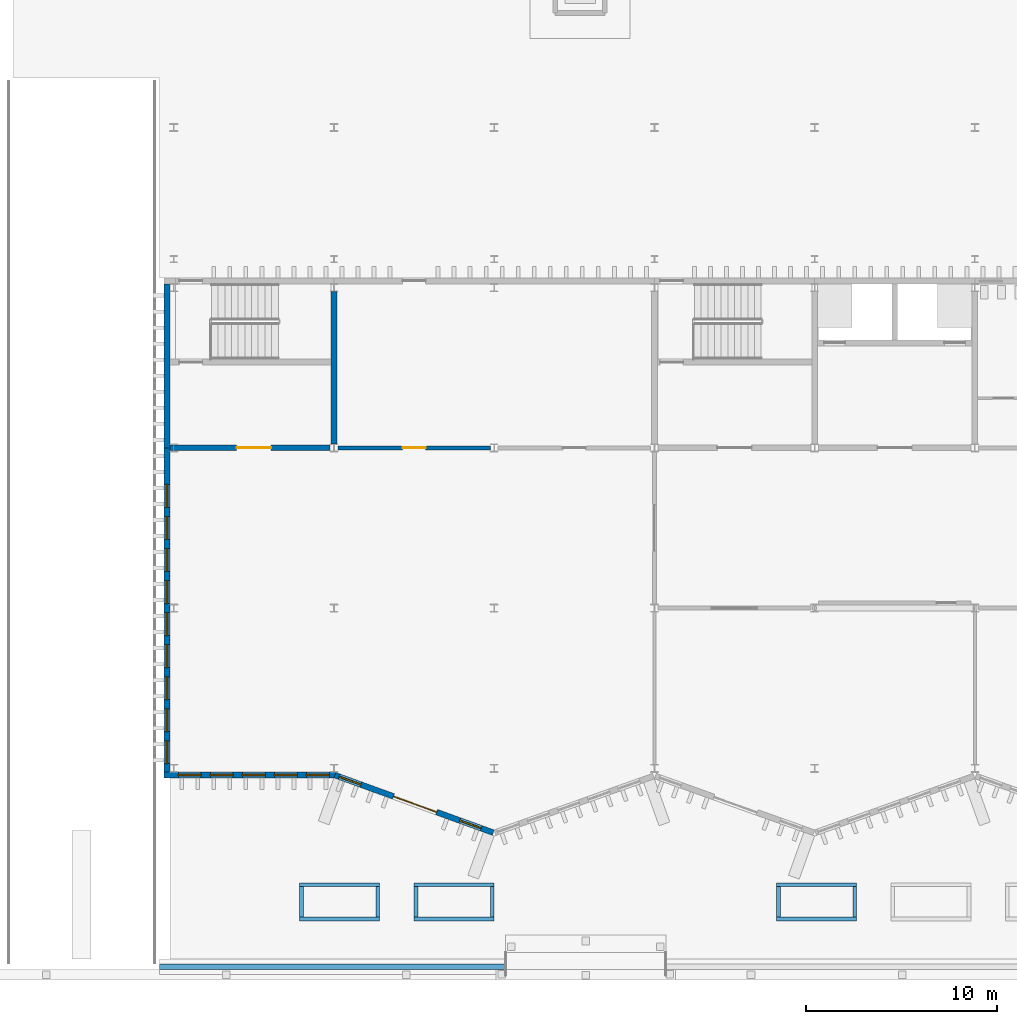
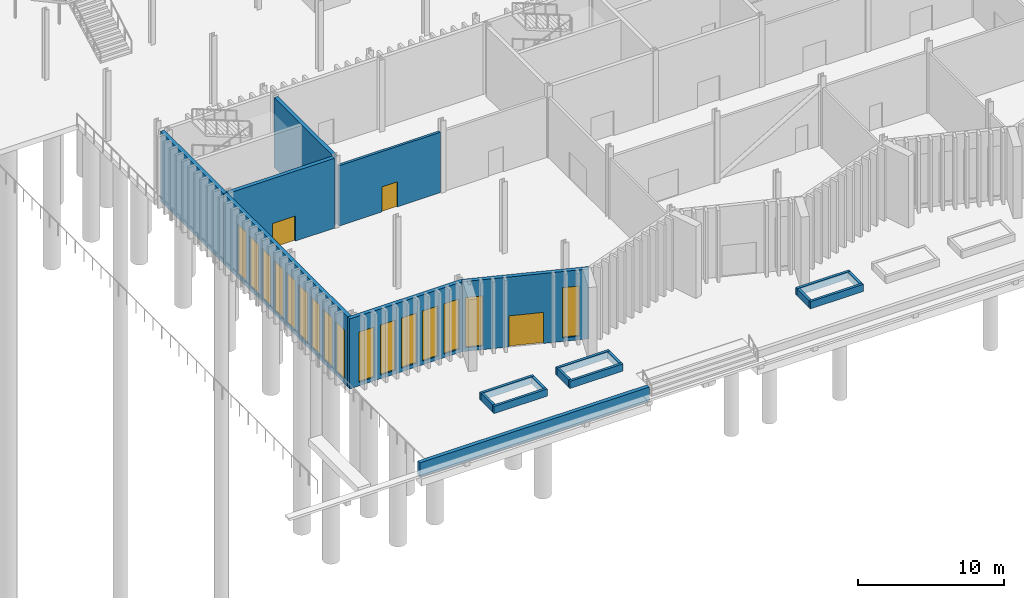
# One storey, part 53 of 108: 20 walls, 16 windows, 3 doors, 19 openings.
"""IFC4 building model written with IfcOpenShell, lengths in metres."""

from ifc_helpers import new_model, si_unit, direction, frame, frame_2d, origin, place, context, subcontext, project, spatial, rectangle, extrude, material, layer, layer_set, type_object, element, fill, save


model = new_model("IFC4")

# Units and contexts
model_context = context("Model", 3, precision=1e-05, world=origin(), true_north=direction((0.0, 1.0)))
body_context = subcontext(model_context, "Body", "Model", "MODEL_VIEW")
ifc_project = project(units=[si_unit("LENGTHUNIT", "METRE"), si_unit("AREAUNIT", "SQUARE_METRE"), si_unit("VOLUMEUNIT", "CUBIC_METRE"), si_unit("PLANEANGLEUNIT", "RADIAN"), si_unit("MASSUNIT", "GRAM", prefix="KILO")], contexts=[model_context])

# Site, building, storey
site_placement = place(None, origin())
site = spatial("IfcSite", under=ifc_project, at=site_placement, CompositionType="ELEMENT")
building_placement = place(site_placement, origin())
building = spatial("IfcBuilding", under=site, at=building_placement, Name="Cresset Court Congress Hotel", CompositionType="ELEMENT")
storey_placement = place(building_placement, origin())
storey = spatial("IfcBuildingStorey", under=building, at=storey_placement, Name="L00", CompositionType="ELEMENT", Elevation=0.0)

# Wall
ifc_material_1 = material(Name="Concrete C50", Category="concrete")
ifc_layer_1 = layer(ifc_material_1, 0.300048828125)
ifc_layer_set_1 = layer_set([ifc_layer_1], Name="Core wall 300 Concrete C50")
wall_type_1 = type_object("IfcWallType", Name="Core wall 300 Concrete C50", PredefinedType="SHEAR", material=ifc_layer_set_1)
wall_1_placement = place(storey_placement, frame((16.800048828125, 17.0, 0.0), z_axis=(0.0, 0.0, 1.0), x_axis=(0.0, 1.0, 0.0)))
element("IfcWall", 1, at=wall_1_placement, inside=storey, type_object=wall_type_1, Name="Core wall ST-B1", PredefinedType="SHEAR", context=body_context, shape_type="SweptSolid", body=[
    extrude(rectangle(XDim=8.0, YDim=0.300048828125, at=frame_2d((4.0, 0.0))), origin(), (0.0, 0.0, 1.0), 5.85009765625),
])

# Wall, opening, door
wall_2_placement = place(storey_placement, frame((8.199951171875, 16.800048828125, 0.0), z_axis=(0.0, 0.0, 1.0), x_axis=(1.0, 0.0, 0.0)))
wall_2 = element("IfcWall", 2, at=wall_2_placement, inside=storey, type_object=wall_type_1, Name="Core wall ST-B1", PredefinedType="SHEAR", context=body_context, shape_type="SweptSolid", body=[
    extrude(rectangle(XDim=8.400146484375, YDim=0.300048828125, at=frame_2d((4.2001953125, 0.0))), origin(), (0.0, 0.0, 1.0), 5.85009765625),
])
opening_1_placement = place(wall_2_placement, frame((3.5, 0.0, 0.0)))
opening_1 = element("IfcOpeningElement", 3, at=opening_1_placement, cuts=wall_2, Name="Opening DB-00-56", PredefinedType="OPENING", context=body_context, shape_type="SweptSolid", body=[
    extrude(rectangle(XDim=1.800048828125, YDim=2.10009765625, at=frame_2d((0.89990234375, 1.050048828125))), frame((0.0, 0.159912109375, 0.0), z_axis=(0.0, -1.0, 0.0), x_axis=(1.0, 0.0, 0.0)), (0.0, 0.0, 1.0), 0.320068359375),
])
ifc_material_2 = material(Name="Timber and steel frame", Category="steel")
door_type_1 = type_object("IfcDoorType", Name="Lobby fire door FD60 double 1800x2100", OperationType="DOUBLE_DOOR_SINGLE_SWING", PredefinedType="DOOR", material=ifc_material_2)
door_1_placement = place(opening_1_placement, origin())
door_1 = element("IfcDoor", 4, at=door_1_placement, inside=storey, type_object=door_type_1, Name="Stair lobby door ST-B1", OperationType="DOUBLE_DOOR_SINGLE_SWING", OverallHeight=2.10009765625, OverallWidth=1.800048828125, PredefinedType="DOOR", context=body_context, shape_type="SweptSolid", body=[
    extrude(rectangle(XDim=1.800048828125, YDim=2.10009765625, at=frame_2d((0.89990234375, 1.050048828125))), frame((0.0, 0.02490234375, 0.0), z_axis=(0.0, -1.0, 0.0), x_axis=(1.0, 0.0, 0.0)), (0.0, 0.0, 1.0), 0.050048828125),
])
fill(opening_1, door_1)

# Wall
ifc_material_3 = material(Name="Concrete C50", Category="concrete")
ifc_layer_2 = layer(ifc_material_3, 0.300048828125)
ifc_layer_set_2 = layer_set([ifc_layer_2], Name="Core wall 300 Concrete C50 external")
wall_type_2 = type_object("IfcWallType", Name="Core wall 300 Concrete C50 external", PredefinedType="SHEAR", material=ifc_layer_set_2)
wall_3_placement = place(storey_placement, frame((8.050048828125, 16.800048828125, 0.0), z_axis=(0.0, 0.0, 1.0), x_axis=(0.0, 1.0, 0.0)))
element("IfcWall", 5, at=wall_3_placement, inside=storey, type_object=wall_type_2, Name="Core wall ST-B1", PredefinedType="SHEAR", context=body_context, shape_type="SweptSolid", body=[
    extrude(rectangle(XDim=8.599853515625, YDim=0.300048828125, at=frame_2d((4.2998046875, 0.0))), origin(), (0.0, 0.0, 1.0), 5.85009765625),
])

# Wall, openings, windows
ifc_material_4 = material(Name="Concrete C40", Category="concrete")
ifc_layer_3 = layer(ifc_material_4, 0.300048828125)
ifc_layer_set_3 = layer_set([ifc_layer_3], Name="External wall 300 Concrete C40")
wall_type_3 = type_object("IfcWallType", Name="External wall 300 Concrete C40", PredefinedType="SOLIDWALL", material=ifc_layer_set_3)
wall_4_placement = place(storey_placement, frame((7.89990234375, -0.35009765625, 0.0), z_axis=(0.0, 0.0, 1.0), x_axis=(1.0, 0.0, 0.0)))
wall_4 = element("IfcWall", 6, at=wall_4_placement, inside=storey, type_object=wall_type_3, Name="External wall", PredefinedType="SOLIDWALL", context=body_context, shape_type="SweptSolid", body=[
    extrude(rectangle(XDim=9.0, YDim=0.300048828125, at=frame_2d((4.5, 0.0))), origin(), (0.0, 0.0, 1.0), 5.85009765625),
])
opening_2_placement = place(wall_4_placement, frame((0.739990234375, 0.0, 0.300048828125)))
opening_2 = element("IfcOpeningElement", 7, at=opening_2_placement, cuts=wall_4, Name="Opening NB-00-01", PredefinedType="OPENING", context=body_context, shape_type="SweptSolid", body=[
    extrude(rectangle(XDim=1.199951171875, YDim=4.199951171875, at=frame_2d((0.60009765625, 2.10009765625))), frame((0.0, 0.159912109375, 0.0), z_axis=(0.0, -1.0, 0.0), x_axis=(1.0, 0.0, 0.0)), (0.0, 0.0, 1.0), 0.320068359375),
])
opening_3_placement = place(wall_4_placement, frame((2.419921875, 0.0, 0.300048828125)))
opening_3 = element("IfcOpeningElement", 8, at=opening_3_placement, cuts=wall_4, Name="Opening NB-00-02", PredefinedType="OPENING", context=body_context, shape_type="SweptSolid", body=[
    extrude(rectangle(XDim=1.199951171875, YDim=4.199951171875, at=frame_2d((0.60009765625, 2.10009765625))), frame((0.0, 0.159912109375, 0.0), z_axis=(0.0, -1.0, 0.0), x_axis=(1.0, 0.0, 0.0)), (0.0, 0.0, 1.0), 0.320068359375),
])
opening_4_placement = place(wall_4_placement, frame((4.10009765625, 0.0, 0.300048828125)))
opening_4 = element("IfcOpeningElement", 9, at=opening_4_placement, cuts=wall_4, Name="Opening NB-00-03", PredefinedType="OPENING", context=body_context, shape_type="SweptSolid", body=[
    extrude(rectangle(XDim=1.199951171875, YDim=4.199951171875, at=frame_2d((0.60009765625, 2.10009765625))), frame((0.0, 0.159912109375, 0.0), z_axis=(0.0, -1.0, 0.0), x_axis=(1.0, 0.0, 0.0)), (0.0, 0.0, 1.0), 0.320068359375),
])
opening_5_placement = place(wall_4_placement, frame((5.780029296875, 0.0, 0.300048828125)))
opening_5 = element("IfcOpeningElement", 10, at=opening_5_placement, cuts=wall_4, Name="Opening NB-00-04", PredefinedType="OPENING", context=body_context, shape_type="SweptSolid", body=[
    extrude(rectangle(XDim=1.199951171875, YDim=4.199951171875, at=frame_2d((0.60009765625, 2.10009765625))), frame((0.0, 0.159912109375, 0.0), z_axis=(0.0, -1.0, 0.0), x_axis=(1.0, 0.0, 0.0)), (0.0, 0.0, 1.0), 0.320068359375),
])
opening_6_placement = place(wall_4_placement, frame((7.4599609375, 0.0, 0.300048828125)))
opening_6 = element("IfcOpeningElement", 11, at=opening_6_placement, cuts=wall_4, Name="Opening NB-00-05", PredefinedType="OPENING", context=body_context, shape_type="SweptSolid", body=[
    extrude(rectangle(XDim=1.199951171875, YDim=4.199951171875, at=frame_2d((0.60009765625, 2.10009765625))), frame((0.0, 0.159912109375, 0.0), z_axis=(0.0, -1.0, 0.0), x_axis=(1.0, 0.0, 0.0)), (0.0, 0.0, 1.0), 0.320068359375),
])
ifc_material_5 = material(Name="Aluminium frame with double glazing", Category="aluminium")
window_type = type_object("IfcWindowType", Name="Window 1200x4200", PartitioningType="TRIPLE_PANEL_VERTICAL", PredefinedType="WINDOW", material=ifc_material_5)
window_1_placement = place(opening_2_placement, origin())
window_1 = element("IfcWindow", 12, at=window_1_placement, inside=storey, type_object=window_type, Name="Window NB-00-01", OverallHeight=4.199951171875, OverallWidth=1.199951171875, PartitioningType="TRIPLE_PANEL_VERTICAL", PredefinedType="WINDOW", context=body_context, shape_type="SweptSolid", body=[
    extrude(rectangle(XDim=1.199951171875, YDim=4.199951171875, at=frame_2d((0.60009765625, 2.10009765625))), frame((0.0, 0.030029296875, 0.0), z_axis=(0.0, -1.0, 0.0), x_axis=(1.0, 0.0, 0.0)), (0.0, 0.0, 1.0), 0.06005859375),
])
fill(opening_2, window_1)
window_2_placement = place(opening_3_placement, origin())
window_2 = element("IfcWindow", 13, at=window_2_placement, inside=storey, type_object=window_type, Name="Window NB-00-02", OverallHeight=4.199951171875, OverallWidth=1.199951171875, PartitioningType="TRIPLE_PANEL_VERTICAL", PredefinedType="WINDOW", context=body_context, shape_type="SweptSolid", body=[
    extrude(rectangle(XDim=1.199951171875, YDim=4.199951171875, at=frame_2d((0.60009765625, 2.10009765625))), frame((0.0, 0.030029296875, 0.0), z_axis=(0.0, -1.0, 0.0), x_axis=(1.0, 0.0, 0.0)), (0.0, 0.0, 1.0), 0.06005859375),
])
fill(opening_3, window_2)
window_3_placement = place(opening_4_placement, origin())
window_3 = element("IfcWindow", 14, at=window_3_placement, inside=storey, type_object=window_type, Name="Window NB-00-03", OverallHeight=4.199951171875, OverallWidth=1.199951171875, PartitioningType="TRIPLE_PANEL_VERTICAL", PredefinedType="WINDOW", context=body_context, shape_type="SweptSolid", body=[
    extrude(rectangle(XDim=1.199951171875, YDim=4.199951171875, at=frame_2d((0.60009765625, 2.10009765625))), frame((0.0, 0.030029296875, 0.0), z_axis=(0.0, -1.0, 0.0), x_axis=(1.0, 0.0, 0.0)), (0.0, 0.0, 1.0), 0.06005859375),
])
fill(opening_4, window_3)
window_4_placement = place(opening_5_placement, origin())
window_4 = element("IfcWindow", 15, at=window_4_placement, inside=storey, type_object=window_type, Name="Window NB-00-04", OverallHeight=4.199951171875, OverallWidth=1.199951171875, PartitioningType="TRIPLE_PANEL_VERTICAL", PredefinedType="WINDOW", context=body_context, shape_type="SweptSolid", body=[
    extrude(rectangle(XDim=1.199951171875, YDim=4.199951171875, at=frame_2d((0.60009765625, 2.10009765625))), frame((0.0, 0.030029296875, 0.0), z_axis=(0.0, -1.0, 0.0), x_axis=(1.0, 0.0, 0.0)), (0.0, 0.0, 1.0), 0.06005859375),
])
fill(opening_5, window_4)
window_5_placement = place(opening_6_placement, origin())
window_5 = element("IfcWindow", 16, at=window_5_placement, inside=storey, type_object=window_type, Name="Window NB-00-05", OverallHeight=4.199951171875, OverallWidth=1.199951171875, PartitioningType="TRIPLE_PANEL_VERTICAL", PredefinedType="WINDOW", context=body_context, shape_type="SweptSolid", body=[
    extrude(rectangle(XDim=1.199951171875, YDim=4.199951171875, at=frame_2d((0.60009765625, 2.10009765625))), frame((0.0, 0.030029296875, 0.0), z_axis=(0.0, -1.0, 0.0), x_axis=(1.0, 0.0, 0.0)), (0.0, 0.0, 1.0), 0.06005859375),
])
fill(opening_6, window_5)

# Wall, openings, door, windows
wall_5_placement = place(storey_placement, frame((16.851318359375, -0.35888671875, 0.0), z_axis=(0.0, 0.0, 1.0), x_axis=(0.939953187971, -0.341303390584, 0.0)))
wall_5 = element("IfcWall", 17, at=wall_5_placement, inside=storey, type_object=wall_type_3, Name="External wall", PredefinedType="SOLIDWALL", context=body_context, shape_type="SweptSolid", body=[
    extrude(rectangle(XDim=8.828369140625, YDim=0.300048828125, at=frame_2d((4.4140625, 0.0))), origin(), (0.0, 0.0, 1.0), 5.85009765625),
])
opening_7_placement = place(wall_5_placement, frame((3.268310546875, 0.0, 0.0)))
opening_7 = element("IfcOpeningElement", 18, at=opening_7_placement, cuts=wall_5, Name="Opening DB-00-04", PredefinedType="OPENING", context=body_context, shape_type="SweptSolid", body=[
    extrude(rectangle(XDim=2.39990234375, YDim=2.60009765625, at=frame_2d((1.199951171875, 1.300048828125))), frame((0.0, 0.159912109375, 0.0), z_axis=(0.0, -1.0, 0.0), x_axis=(1.0, 0.0, 0.0)), (0.0, 0.0, 1.0), 0.320068359375),
])
opening_8_placement = place(wall_5_placement, frame((0.239990234375, 0.0, 0.300048828125)))
opening_8 = element("IfcOpeningElement", 19, at=opening_8_placement, cuts=wall_5, Name="Opening NB-00-30", PredefinedType="OPENING", context=body_context, shape_type="SweptSolid", body=[
    extrude(rectangle(XDim=1.199951171875, YDim=4.199951171875, at=frame_2d((0.60009765625, 2.10009765625))), frame((0.0, 0.159912109375, 0.0), z_axis=(0.0, -1.0, 0.0), x_axis=(1.0, 0.0, 0.0)), (0.0, 0.0, 1.0), 0.320068359375),
])
opening_9_placement = place(wall_5_placement, frame((6.9599609375, 0.0, 0.300048828125)))
opening_9 = element("IfcOpeningElement", 20, at=opening_9_placement, cuts=wall_5, Name="Opening NB-00-31", PredefinedType="OPENING", context=body_context, shape_type="SweptSolid", body=[
    extrude(rectangle(XDim=1.199951171875, YDim=4.199951171875, at=frame_2d((0.60009765625, 2.10009765625))), frame((0.0, 0.159912109375, 0.0), z_axis=(0.0, -1.0, 0.0), x_axis=(1.0, 0.0, 0.0)), (0.0, 0.0, 1.0), 0.320068359375),
])
ifc_material_6 = material(Name="Aluminium frame with toughened glass", Category="aluminium")
door_type_2 = type_object("IfcDoorType", Name="Entrance door double glazed 2400x2600", OperationType="DOUBLE_DOOR_SINGLE_SWING", PredefinedType="DOOR", material=ifc_material_6)
door_2_placement = place(opening_7_placement, origin())
door_2 = element("IfcDoor", 21, at=door_2_placement, inside=storey, type_object=door_type_2, Name="Restaurant entrance", OperationType="DOUBLE_DOOR_SINGLE_SWING", OverallHeight=2.60009765625, OverallWidth=2.39990234375, PredefinedType="DOOR", context=body_context, shape_type="SweptSolid", body=[
    extrude(rectangle(XDim=2.39990234375, YDim=2.60009765625, at=frame_2d((1.199951171875, 1.300048828125))), frame((0.0, 0.02490234375, 0.0), z_axis=(0.0, -1.0, 0.0), x_axis=(1.0, 0.0, 0.0)), (0.0, 0.0, 1.0), 0.050048828125),
])
fill(opening_7, door_2)
window_6_placement = place(opening_8_placement, origin())
window_6 = element("IfcWindow", 22, at=window_6_placement, inside=storey, type_object=window_type, Name="Window NB-00-30", OverallHeight=4.199951171875, OverallWidth=1.199951171875, PartitioningType="TRIPLE_PANEL_VERTICAL", PredefinedType="WINDOW", context=body_context, shape_type="SweptSolid", body=[
    extrude(rectangle(XDim=1.199951171875, YDim=4.199951171875, at=frame_2d((0.60009765625, 2.10009765625))), frame((0.0, 0.030029296875, 0.0), z_axis=(0.0, -1.0, 0.0), x_axis=(1.0, 0.0, 0.0)), (0.0, 0.0, 1.0), 0.06005859375),
])
fill(opening_8, window_6)
window_7_placement = place(opening_9_placement, origin())
window_7 = element("IfcWindow", 23, at=window_7_placement, inside=storey, type_object=window_type, Name="Window NB-00-31", OverallHeight=4.199951171875, OverallWidth=1.199951171875, PartitioningType="TRIPLE_PANEL_VERTICAL", PredefinedType="WINDOW", context=body_context, shape_type="SweptSolid", body=[
    extrude(rectangle(XDim=1.199951171875, YDim=4.199951171875, at=frame_2d((0.60009765625, 2.10009765625))), frame((0.0, 0.030029296875, 0.0), z_axis=(0.0, -1.0, 0.0), x_axis=(1.0, 0.0, 0.0)), (0.0, 0.0, 1.0), 0.06005859375),
])
fill(opening_9, window_7)

# Wall, openings, windows
wall_6_placement = place(storey_placement, frame((8.050048828125, -0.199951171875, 0.0), z_axis=(0.0, 0.0, 1.0), x_axis=(0.0, 1.0, 0.0)))
wall_6 = element("IfcWall", 24, at=wall_6_placement, inside=storey, type_object=wall_type_3, Name="External wall", PredefinedType="SOLIDWALL", context=body_context, shape_type="SweptSolid", body=[
    extrude(rectangle(XDim=17.0, YDim=0.300048828125, at=frame_2d((8.5, 0.0))), origin(), (0.0, 0.0, 1.0), 5.85009765625),
])
opening_10_placement = place(wall_6_placement, frame((0.43994140625, 0.0, 0.300048828125)))
opening_10 = element("IfcOpeningElement", 25, at=opening_10_placement, cuts=wall_6, Name="Opening NB-00-89", PredefinedType="OPENING", context=body_context, shape_type="SweptSolid", body=[
    extrude(rectangle(XDim=1.199951171875, YDim=4.199951171875, at=frame_2d((0.60009765625, 2.10009765625))), frame((0.0, 0.159912109375, 0.0), z_axis=(0.0, -1.0, 0.0), x_axis=(1.0, 0.0, 0.0)), (0.0, 0.0, 1.0), 0.320068359375),
])
opening_11_placement = place(wall_6_placement, frame((2.1201171875, 0.0, 0.300048828125)))
opening_11 = element("IfcOpeningElement", 26, at=opening_11_placement, cuts=wall_6, Name="Opening NB-00-90", PredefinedType="OPENING", context=body_context, shape_type="SweptSolid", body=[
    extrude(rectangle(XDim=1.199951171875, YDim=4.199951171875, at=frame_2d((0.60009765625, 2.10009765625))), frame((0.0, 0.159912109375, 0.0), z_axis=(0.0, -1.0, 0.0), x_axis=(1.0, 0.0, 0.0)), (0.0, 0.0, 1.0), 0.320068359375),
])
opening_12_placement = place(wall_6_placement, frame((3.800048828125, 0.0, 0.300048828125)))
opening_12 = element("IfcOpeningElement", 27, at=opening_12_placement, cuts=wall_6, Name="Opening NB-00-91", PredefinedType="OPENING", context=body_context, shape_type="SweptSolid", body=[
    extrude(rectangle(XDim=1.199951171875, YDim=4.199951171875, at=frame_2d((0.60009765625, 2.10009765625))), frame((0.0, 0.159912109375, 0.0), z_axis=(0.0, -1.0, 0.0), x_axis=(1.0, 0.0, 0.0)), (0.0, 0.0, 1.0), 0.320068359375),
])
opening_13_placement = place(wall_6_placement, frame((5.47998046875, 0.0, 0.300048828125)))
opening_13 = element("IfcOpeningElement", 28, at=opening_13_placement, cuts=wall_6, Name="Opening NB-00-92", PredefinedType="OPENING", context=body_context, shape_type="SweptSolid", body=[
    extrude(rectangle(XDim=1.199951171875, YDim=4.199951171875, at=frame_2d((0.60009765625, 2.10009765625))), frame((0.0, 0.159912109375, 0.0), z_axis=(0.0, -1.0, 0.0), x_axis=(1.0, 0.0, 0.0)), (0.0, 0.0, 1.0), 0.320068359375),
])
opening_14_placement = place(wall_6_placement, frame((7.159912109375, 0.0, 0.300048828125)))
opening_14 = element("IfcOpeningElement", 29, at=opening_14_placement, cuts=wall_6, Name="Opening NB-00-93", PredefinedType="OPENING", context=body_context, shape_type="SweptSolid", body=[
    extrude(rectangle(XDim=1.199951171875, YDim=4.199951171875, at=frame_2d((0.60009765625, 2.10009765625))), frame((0.0, 0.159912109375, 0.0), z_axis=(0.0, -1.0, 0.0), x_axis=(1.0, 0.0, 0.0)), (0.0, 0.0, 1.0), 0.320068359375),
])
opening_15_placement = place(wall_6_placement, frame((8.840087890625, 0.0, 0.300048828125)))
opening_15 = element("IfcOpeningElement", 30, at=opening_15_placement, cuts=wall_6, Name="Opening NB-00-94", PredefinedType="OPENING", context=body_context, shape_type="SweptSolid", body=[
    extrude(rectangle(XDim=1.199951171875, YDim=4.199951171875, at=frame_2d((0.60009765625, 2.10009765625))), frame((0.0, 0.159912109375, 0.0), z_axis=(0.0, -1.0, 0.0), x_axis=(1.0, 0.0, 0.0)), (0.0, 0.0, 1.0), 0.320068359375),
])
opening_16_placement = place(wall_6_placement, frame((10.52001953125, 0.0, 0.300048828125)))
opening_16 = element("IfcOpeningElement", 31, at=opening_16_placement, cuts=wall_6, Name="Opening NB-00-95", PredefinedType="OPENING", context=body_context, shape_type="SweptSolid", body=[
    extrude(rectangle(XDim=1.199951171875, YDim=4.199951171875, at=frame_2d((0.60009765625, 2.10009765625))), frame((0.0, 0.159912109375, 0.0), z_axis=(0.0, -1.0, 0.0), x_axis=(1.0, 0.0, 0.0)), (0.0, 0.0, 1.0), 0.320068359375),
])
opening_17_placement = place(wall_6_placement, frame((12.199951171875, 0.0, 0.300048828125)))
opening_17 = element("IfcOpeningElement", 32, at=opening_17_placement, cuts=wall_6, Name="Opening NB-00-96", PredefinedType="OPENING", context=body_context, shape_type="SweptSolid", body=[
    extrude(rectangle(XDim=1.199951171875, YDim=4.199951171875, at=frame_2d((0.60009765625, 2.10009765625))), frame((0.0, 0.159912109375, 0.0), z_axis=(0.0, -1.0, 0.0), x_axis=(1.0, 0.0, 0.0)), (0.0, 0.0, 1.0), 0.320068359375),
])
opening_18_placement = place(wall_6_placement, frame((13.8798828125, 0.0, 0.300048828125)))
opening_18 = element("IfcOpeningElement", 33, at=opening_18_placement, cuts=wall_6, Name="Opening NB-00-97", PredefinedType="OPENING", context=body_context, shape_type="SweptSolid", body=[
    extrude(rectangle(XDim=1.199951171875, YDim=4.199951171875, at=frame_2d((0.60009765625, 2.10009765625))), frame((0.0, 0.159912109375, 0.0), z_axis=(0.0, -1.0, 0.0), x_axis=(1.0, 0.0, 0.0)), (0.0, 0.0, 1.0), 0.320068359375),
])
window_8_placement = place(opening_10_placement, origin())
window_8 = element("IfcWindow", 34, at=window_8_placement, inside=storey, type_object=window_type, Name="Window NB-00-89", OverallHeight=4.199951171875, OverallWidth=1.199951171875, PartitioningType="TRIPLE_PANEL_VERTICAL", PredefinedType="WINDOW", context=body_context, shape_type="SweptSolid", body=[
    extrude(rectangle(XDim=1.199951171875, YDim=4.199951171875, at=frame_2d((0.60009765625, 2.10009765625))), frame((0.0, 0.030029296875, 0.0), z_axis=(0.0, -1.0, 0.0), x_axis=(1.0, 0.0, 0.0)), (0.0, 0.0, 1.0), 0.06005859375),
])
fill(opening_10, window_8)
window_9_placement = place(opening_11_placement, origin())
window_9 = element("IfcWindow", 35, at=window_9_placement, inside=storey, type_object=window_type, Name="Window NB-00-90", OverallHeight=4.199951171875, OverallWidth=1.199951171875, PartitioningType="TRIPLE_PANEL_VERTICAL", PredefinedType="WINDOW", context=body_context, shape_type="SweptSolid", body=[
    extrude(rectangle(XDim=1.199951171875, YDim=4.199951171875, at=frame_2d((0.60009765625, 2.10009765625))), frame((0.0, 0.030029296875, 0.0), z_axis=(0.0, -1.0, 0.0), x_axis=(1.0, 0.0, 0.0)), (0.0, 0.0, 1.0), 0.06005859375),
])
fill(opening_11, window_9)
window_10_placement = place(opening_12_placement, origin())
window_10 = element("IfcWindow", 36, at=window_10_placement, inside=storey, type_object=window_type, Name="Window NB-00-91", OverallHeight=4.199951171875, OverallWidth=1.199951171875, PartitioningType="TRIPLE_PANEL_VERTICAL", PredefinedType="WINDOW", context=body_context, shape_type="SweptSolid", body=[
    extrude(rectangle(XDim=1.199951171875, YDim=4.199951171875, at=frame_2d((0.60009765625, 2.10009765625))), frame((0.0, 0.030029296875, 0.0), z_axis=(0.0, -1.0, 0.0), x_axis=(1.0, 0.0, 0.0)), (0.0, 0.0, 1.0), 0.06005859375),
])
fill(opening_12, window_10)
window_11_placement = place(opening_13_placement, origin())
window_11 = element("IfcWindow", 37, at=window_11_placement, inside=storey, type_object=window_type, Name="Window NB-00-92", OverallHeight=4.199951171875, OverallWidth=1.199951171875, PartitioningType="TRIPLE_PANEL_VERTICAL", PredefinedType="WINDOW", context=body_context, shape_type="SweptSolid", body=[
    extrude(rectangle(XDim=1.199951171875, YDim=4.199951171875, at=frame_2d((0.60009765625, 2.10009765625))), frame((0.0, 0.030029296875, 0.0), z_axis=(0.0, -1.0, 0.0), x_axis=(1.0, 0.0, 0.0)), (0.0, 0.0, 1.0), 0.06005859375),
])
fill(opening_13, window_11)
window_12_placement = place(opening_14_placement, origin())
window_12 = element("IfcWindow", 38, at=window_12_placement, inside=storey, type_object=window_type, Name="Window NB-00-93", OverallHeight=4.199951171875, OverallWidth=1.199951171875, PartitioningType="TRIPLE_PANEL_VERTICAL", PredefinedType="WINDOW", context=body_context, shape_type="SweptSolid", body=[
    extrude(rectangle(XDim=1.199951171875, YDim=4.199951171875, at=frame_2d((0.60009765625, 2.10009765625))), frame((0.0, 0.030029296875, 0.0), z_axis=(0.0, -1.0, 0.0), x_axis=(1.0, 0.0, 0.0)), (0.0, 0.0, 1.0), 0.06005859375),
])
fill(opening_14, window_12)
window_13_placement = place(opening_15_placement, origin())
window_13 = element("IfcWindow", 39, at=window_13_placement, inside=storey, type_object=window_type, Name="Window NB-00-94", OverallHeight=4.199951171875, OverallWidth=1.199951171875, PartitioningType="TRIPLE_PANEL_VERTICAL", PredefinedType="WINDOW", context=body_context, shape_type="SweptSolid", body=[
    extrude(rectangle(XDim=1.199951171875, YDim=4.199951171875, at=frame_2d((0.60009765625, 2.10009765625))), frame((0.0, 0.030029296875, 0.0), z_axis=(0.0, -1.0, 0.0), x_axis=(1.0, 0.0, 0.0)), (0.0, 0.0, 1.0), 0.06005859375),
])
fill(opening_15, window_13)
window_14_placement = place(opening_16_placement, origin())
window_14 = element("IfcWindow", 40, at=window_14_placement, inside=storey, type_object=window_type, Name="Window NB-00-95", OverallHeight=4.199951171875, OverallWidth=1.199951171875, PartitioningType="TRIPLE_PANEL_VERTICAL", PredefinedType="WINDOW", context=body_context, shape_type="SweptSolid", body=[
    extrude(rectangle(XDim=1.199951171875, YDim=4.199951171875, at=frame_2d((0.60009765625, 2.10009765625))), frame((0.0, 0.030029296875, 0.0), z_axis=(0.0, -1.0, 0.0), x_axis=(1.0, 0.0, 0.0)), (0.0, 0.0, 1.0), 0.06005859375),
])
fill(opening_16, window_14)
window_15_placement = place(opening_17_placement, origin())
window_15 = element("IfcWindow", 41, at=window_15_placement, inside=storey, type_object=window_type, Name="Window NB-00-96", OverallHeight=4.199951171875, OverallWidth=1.199951171875, PartitioningType="TRIPLE_PANEL_VERTICAL", PredefinedType="WINDOW", context=body_context, shape_type="SweptSolid", body=[
    extrude(rectangle(XDim=1.199951171875, YDim=4.199951171875, at=frame_2d((0.60009765625, 2.10009765625))), frame((0.0, 0.030029296875, 0.0), z_axis=(0.0, -1.0, 0.0), x_axis=(1.0, 0.0, 0.0)), (0.0, 0.0, 1.0), 0.06005859375),
])
fill(opening_17, window_15)
window_16_placement = place(opening_18_placement, origin())
window_16 = element("IfcWindow", 42, at=window_16_placement, inside=storey, type_object=window_type, Name="Window NB-00-97", OverallHeight=4.199951171875, OverallWidth=1.199951171875, PartitioningType="TRIPLE_PANEL_VERTICAL", PredefinedType="WINDOW", context=body_context, shape_type="SweptSolid", body=[
    extrude(rectangle(XDim=1.199951171875, YDim=4.199951171875, at=frame_2d((0.60009765625, 2.10009765625))), frame((0.0, 0.030029296875, 0.0), z_axis=(0.0, -1.0, 0.0), x_axis=(1.0, 0.0, 0.0)), (0.0, 0.0, 1.0), 0.06005859375),
])
fill(opening_18, window_16)

# Wall, opening, door
ifc_material_7 = material(Name="Blockwork with tiled face", Category="masonry")
ifc_layer_4 = layer(ifc_material_7, 0.199951171875)
ifc_layer_set_4 = layer_set([ifc_layer_4], Name="Kitchen wall 200")
wall_type_4 = type_object("IfcWallType", Name="Kitchen wall 200", PredefinedType="PARTITIONING", material=ifc_layer_set_4)
wall_7_placement = place(storey_placement, frame((17.0, 16.800048828125, 0.0), z_axis=(0.0, 0.0, 1.0), x_axis=(1.0, 0.0, 0.0)))
wall_7 = element("IfcWall", 43, at=wall_7_placement, inside=storey, type_object=wall_type_4, Name="Kitchen wall", PredefinedType="PARTITIONING", context=body_context, shape_type="SweptSolid", body=[
    extrude(rectangle(XDim=8.0, YDim=0.199951171875, at=frame_2d((4.0, 0.0))), origin(), (0.0, 0.0, 1.0), 5.050048828125),
])
opening_19_placement = place(wall_7_placement, frame((3.39990234375, 0.0, 0.0)))
opening_19 = element("IfcOpeningElement", 44, at=opening_19_placement, cuts=wall_7, Name="Opening DB-00-27", PredefinedType="OPENING", context=body_context, shape_type="SweptSolid", body=[
    extrude(rectangle(XDim=1.199951171875, YDim=2.10009765625, at=frame_2d((0.60009765625, 1.050048828125))), frame((0.0, 0.10986328125, 0.0), z_axis=(0.0, -1.0, 0.0), x_axis=(1.0, 0.0, 0.0)), (0.0, 0.0, 1.0), 0.219970703125),
])
ifc_material_8 = material(Name="Timber and steel frame", Category="steel")
door_type_3 = type_object("IfcDoorType", Name="Kitchen fire door FD60 1200x2100", OperationType="SINGLE_SWING_LEFT", PredefinedType="DOOR", material=ifc_material_8)
door_3_placement = place(opening_19_placement, origin())
door_3 = element("IfcDoor", 45, at=door_3_placement, inside=storey, type_object=door_type_3, Name="Kitchen door", OperationType="SINGLE_SWING_LEFT", OverallHeight=2.10009765625, OverallWidth=1.199951171875, PredefinedType="DOOR", context=body_context, shape_type="SweptSolid", body=[
    extrude(rectangle(XDim=1.199951171875, YDim=2.10009765625, at=frame_2d((0.60009765625, 1.050048828125))), frame((0.0, 0.02490234375, 0.0), z_axis=(0.0, -1.0, 0.0), x_axis=(1.0, 0.0, 0.0)), (0.0, 0.0, 1.0), 0.050048828125),
])
fill(opening_19, door_3)

# Walls
ifc_material_9 = material(Name="Concrete C35", Category="concrete")
ifc_layer_5 = layer(ifc_material_9, 0.199951171875)
ifc_layer_set_5 = layer_set([ifc_layer_5], Name="Planter wall 200")
wall_type_5 = type_object("IfcWallType", Name="Planter wall 200", PredefinedType="SOLIDWALL", material=ifc_layer_set_5)
for number, where, z_axis, x_axis, name in (
    (46, (40.0, -7.89990234375, 0.0), (0.0, 0.0, 1.0), (1.0, 0.0, 0.0), "S.planter.L00.01.S"),
    (47, (40.0, -6.10009765625, 0.0), (0.0, 0.0, 1.0), (1.0, 0.0, 0.0), "S.planter.L00.01.N"),
):
    element("IfcWall", number, at=place(storey_placement, frame(where, z_axis=z_axis, x_axis=x_axis)), inside=storey, type_object=wall_type_5, Name=name, PredefinedType="SOLIDWALL", context=body_context, shape_type="SweptSolid", body=[
        extrude(rectangle(XDim=4.199951171875, YDim=0.199951171875, at=frame_2d((2.10009765625, 0.0))), origin(), (0.0, 0.0, 1.0), 0.60009765625),
    ])
for number, where, z_axis, x_axis, name in (
    (48, (40.10009765625, -7.800048828125, 0.0), (0.0, 0.0, 1.0), (0.0, 1.0, 0.0), "S.planter.L00.01.W"),
    (49, (44.10009765625, -7.800048828125, 0.0), (0.0, 0.0, 1.0), (0.0, 1.0, 0.0), "S.planter.L00.01.E"),
):
    element("IfcWall", number, at=place(storey_placement, frame(where, z_axis=z_axis, x_axis=x_axis)), inside=storey, type_object=wall_type_5, Name=name, PredefinedType="SOLIDWALL", context=body_context, shape_type="SweptSolid", body=[
        extrude(rectangle(XDim=1.60009765625, YDim=0.199951171875, at=frame_2d((0.800048828125, 0.0))), origin(), (0.0, 0.0, 1.0), 0.60009765625),
    ])
for number, where, z_axis, x_axis, name in (
    (50, (15.0, -7.89990234375, 0.0), (0.0, 0.0, 1.0), (1.0, 0.0, 0.0), "S.planter.L00.07.S"),
    (51, (15.0, -6.10009765625, 0.0), (0.0, 0.0, 1.0), (1.0, 0.0, 0.0), "S.planter.L00.07.N"),
):
    element("IfcWall", number, at=place(storey_placement, frame(where, z_axis=z_axis, x_axis=x_axis)), inside=storey, type_object=wall_type_5, Name=name, PredefinedType="SOLIDWALL", context=body_context, shape_type="SweptSolid", body=[
        extrude(rectangle(XDim=4.199951171875, YDim=0.199951171875, at=frame_2d((2.10009765625, 0.0))), origin(), (0.0, 0.0, 1.0), 0.60009765625),
    ])
for number, where, z_axis, x_axis, name in (
    (52, (15.10009765625, -7.800048828125, 0.0), (0.0, 0.0, 1.0), (0.0, 1.0, 0.0), "S.planter.L00.07.W"),
    (53, (19.10009765625, -7.800048828125, 0.0), (0.0, 0.0, 1.0), (0.0, 1.0, 0.0), "S.planter.L00.07.E"),
):
    element("IfcWall", number, at=place(storey_placement, frame(where, z_axis=z_axis, x_axis=x_axis)), inside=storey, type_object=wall_type_5, Name=name, PredefinedType="SOLIDWALL", context=body_context, shape_type="SweptSolid", body=[
        extrude(rectangle(XDim=1.60009765625, YDim=0.199951171875, at=frame_2d((0.800048828125, 0.0))), origin(), (0.0, 0.0, 1.0), 0.60009765625),
    ])
for number, where, z_axis, x_axis, name in (
    (54, (21.0, -7.89990234375, 0.0), (0.0, 0.0, 1.0), (1.0, 0.0, 0.0), "S.planter.L00.08.S"),
    (55, (21.0, -6.10009765625, 0.0), (0.0, 0.0, 1.0), (1.0, 0.0, 0.0), "S.planter.L00.08.N"),
):
    element("IfcWall", number, at=place(storey_placement, frame(where, z_axis=z_axis, x_axis=x_axis)), inside=storey, type_object=wall_type_5, Name=name, PredefinedType="SOLIDWALL", context=body_context, shape_type="SweptSolid", body=[
        extrude(rectangle(XDim=4.199951171875, YDim=0.199951171875, at=frame_2d((2.10009765625, 0.0))), origin(), (0.0, 0.0, 1.0), 0.60009765625),
    ])
for number, where, z_axis, x_axis, name in (
    (56, (21.10009765625, -7.800048828125, 0.0), (0.0, 0.0, 1.0), (0.0, 1.0, 0.0), "S.planter.L00.08.W"),
    (57, (25.10009765625, -7.800048828125, 0.0), (0.0, 0.0, 1.0), (0.0, 1.0, 0.0), "S.planter.L00.08.E"),
):
    element("IfcWall", number, at=place(storey_placement, frame(where, z_axis=z_axis, x_axis=x_axis)), inside=storey, type_object=wall_type_5, Name=name, PredefinedType="SOLIDWALL", context=body_context, shape_type="SweptSolid", body=[
        extrude(rectangle(XDim=1.60009765625, YDim=0.199951171875, at=frame_2d((0.800048828125, 0.0))), origin(), (0.0, 0.0, 1.0), 0.60009765625),
    ])
ifc_material_10 = material(Name="Concrete C35", Category="concrete")
ifc_layer_6 = layer(ifc_material_10, 0.300048828125)
ifc_layer_set_6 = layer_set([ifc_layer_6], Name="Plinth wall 300")
wall_type_6 = type_object("IfcWallType", Name="Plinth wall 300", PredefinedType="SOLIDWALL", material=ifc_layer_set_6)
wall_8_placement = place(storey_placement, frame((7.64990234375, -10.39990234375, -1.199951171875), z_axis=(0.0, 0.0, 1.0), x_axis=(1.0, 0.0, 0.0)))
element("IfcWall", 58, at=wall_8_placement, inside=storey, type_object=wall_type_6, Name="S.wall.L00.PS01", PredefinedType="SOLIDWALL", context=body_context, shape_type="SweptSolid", body=[
    extrude(rectangle(XDim=18.150146484375, YDim=0.300048828125, at=frame_2d((9.0751953125, 0.0))), origin(), (0.0, 0.0, 1.0), 1.199951171875),
])

save(model, "model.ifc")
